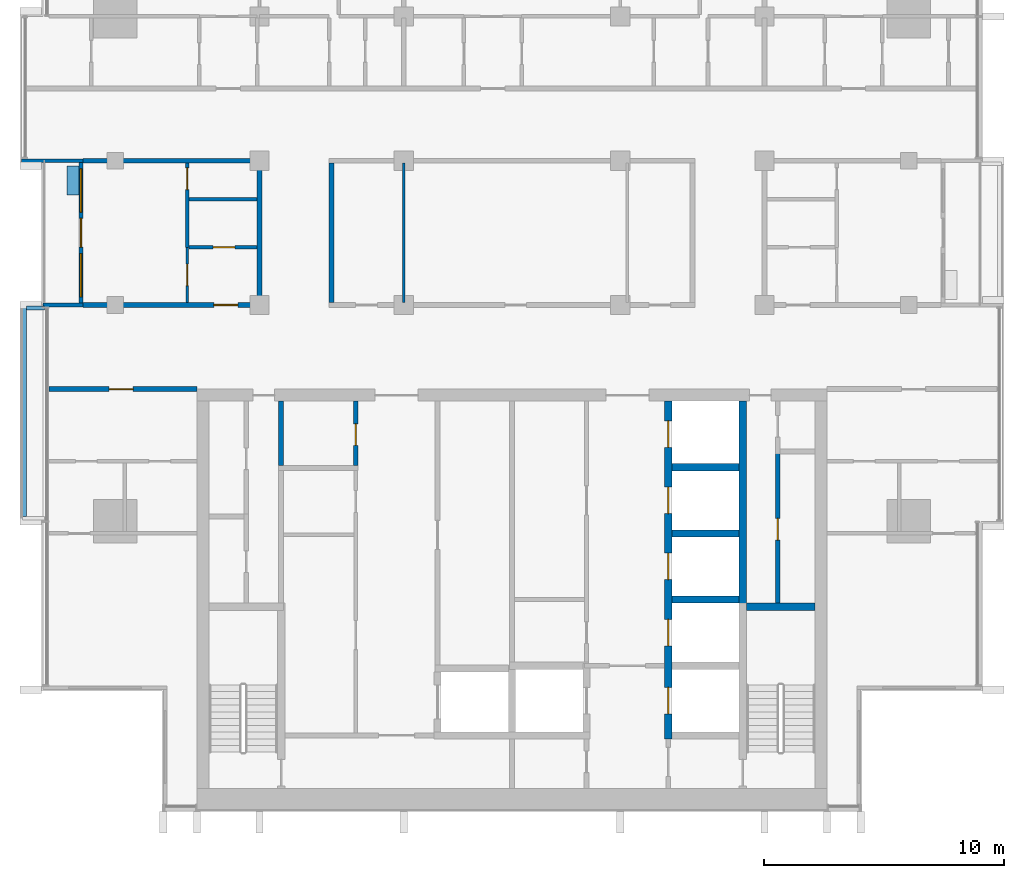
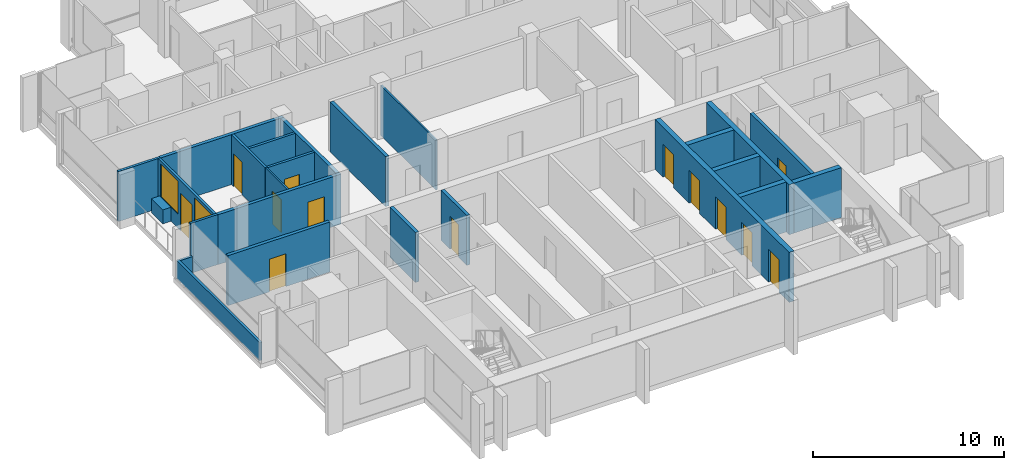
# One storey, part 8 of 16: 25 walls, 13 doors, 2 windows, 15 openings.
"""IFC4 building model written with IfcOpenShell, lengths in metres."""

from ifc_helpers import new_model, si_unit, direction, frame, frame_2d, origin, place, context, subcontext, project, spatial, rectangle, extrude, material, layer, layer_set, type_object, element, fill, save


model = new_model("IFC4")

# Units and contexts
model_context = context("Model", 3, precision=1e-05, world=origin(), true_north=direction((0.0, 1.0)))
body_context = subcontext(model_context, "Body", "Model", "MODEL_VIEW")
ifc_project = project(units=[si_unit("LENGTHUNIT", "METRE"), si_unit("AREAUNIT", "SQUARE_METRE"), si_unit("VOLUMEUNIT", "CUBIC_METRE"), si_unit("PLANEANGLEUNIT", "RADIAN"), si_unit("MASSUNIT", "GRAM", prefix="KILO")], contexts=[model_context])

# Site, building, storey
site_placement = place(None, origin())
site = spatial("IfcSite", under=ifc_project, at=site_placement, CompositionType="ELEMENT")
building_placement = place(site_placement, origin())
building = spatial("IfcBuilding", under=site, at=building_placement, Name="Finial Court Residences", CompositionType="ELEMENT")
storey_placement = place(building_placement, frame((0.0, 0.0, 295.10009765625)))
storey = spatial("IfcBuildingStorey", under=building, at=storey_placement, Name="L75", CompositionType="ELEMENT", Elevation=295.10009765625)

# Wall, opening, door
ifc_material_1 = material(Name="Gypsum board")
ifc_layer_1 = layer(ifc_material_1, 0.02490234375)
ifc_material_2 = material(Name="Acoustic mineral wool in double frame")
ifc_layer_2 = layer(ifc_material_2, 0.14990234375)
ifc_layer_3 = layer(ifc_material_1, 0.02490234375)
ifc_layer_set_1 = layer_set([ifc_layer_1, ifc_layer_2, ifc_layer_3], Name="Corridor wall 200, 1 hour")
wall_type_1 = type_object("IfcWallType", Name="Corridor wall 200, 1 hour", PredefinedType="PARTITIONING", material=ifc_layer_set_1)
wall_1_placement = place(storey_placement, frame((-19.262451171875, -8.0, 0.0), z_axis=(0.0, 0.0, 1.0), x_axis=(1.0, 0.0, 0.0)))
wall_1 = element("IfcWall", 1, at=wall_1_placement, inside=storey, type_object=wall_type_1, Name="Partition L75-004", PredefinedType="PARTITIONING", context=body_context, shape_type="SweptSolid", body=[
    extrude(rectangle(XDim=6.162353515625, YDim=0.199951171875, at=frame_2d((3.0810546875, 0.0))), origin(), (0.0, 0.0, 1.0), 3.199951171875),
])
opening_1_placement = place(wall_1_placement, frame((2.511962890625, 0.0, 0.0)))
opening_1 = element("IfcOpeningElement", 2, at=opening_1_placement, cuts=wall_1, Name="Opening L75-D007", PredefinedType="OPENING", context=body_context, shape_type="SweptSolid", body=[
    extrude(rectangle(XDim=1.0, YDim=2.10009765625, at=frame_2d((0.5, 1.050048828125))), frame((0.0, 0.10986328125, 0.0), z_axis=(0.0, -1.0, 0.0), x_axis=(1.0, 0.0, 0.0)), (0.0, 0.0, 1.0), 0.219970703125),
])
ifc_material_3 = material(Name="Timber door leaf in hollow metal frame", Category="wood")
door_type_1 = type_object("IfcDoorType", Name="Fire door set 1000 x 2100, 30 minutes", OperationType="SINGLE_SWING_LEFT", PredefinedType="DOOR", material=ifc_material_3)
door_1_placement = place(opening_1_placement, origin())
door_1 = element("IfcDoor", 3, at=door_1_placement, inside=storey, type_object=door_type_1, Name="Door L75-D007", OperationType="SINGLE_SWING_RIGHT", OverallHeight=2.10009765625, OverallWidth=1.0, PredefinedType="DOOR", context=body_context, shape_type="SweptSolid", body=[
    extrude(rectangle(XDim=1.0, YDim=2.10009765625, at=frame_2d((0.5, 1.050048828125))), frame((0.0, 0.02490234375, 0.0), z_axis=(0.0, -1.0, 0.0), x_axis=(1.0, 0.0, 0.0)), (0.0, 0.0, 1.0), 0.050048828125),
])
fill(opening_1, door_1)

wall_2_placement = place(storey_placement, frame((-17.85009765625, -4.5, 0.0), z_axis=(0.0, 0.0, 1.0), x_axis=(1.0, 0.0, 0.0)))
wall_2 = element("IfcWall", 4, at=wall_2_placement, inside=storey, type_object=wall_type_1, Name="Partition L75-006", PredefinedType="PARTITIONING", context=body_context, shape_type="SweptSolid", body=[
    extrude(rectangle(XDim=7.4501953125, YDim=0.199951171875, at=frame_2d((3.72509765625, 0.0))), origin(), (0.0, 0.0, 1.0), 3.199951171875),
])
opening_2_placement = place(wall_2_placement, frame((5.449951171875, 0.0, 0.0)))
opening_2 = element("IfcOpeningElement", 5, at=opening_2_placement, cuts=wall_2, Name="Opening L75-D009", PredefinedType="OPENING", context=body_context, shape_type="SweptSolid", body=[
    extrude(rectangle(XDim=1.0, YDim=2.10009765625, at=frame_2d((0.5, 1.050048828125))), frame((0.0, 0.10986328125, 0.0), z_axis=(0.0, -1.0, 0.0), x_axis=(1.0, 0.0, 0.0)), (0.0, 0.0, 1.0), 0.219970703125),
])
door_2_placement = place(opening_2_placement, origin())
door_2 = element("IfcDoor", 6, at=door_2_placement, inside=storey, type_object=door_type_1, Name="Door L75-D009", OperationType="SINGLE_SWING_LEFT", OverallHeight=2.10009765625, OverallWidth=1.0, PredefinedType="DOOR", context=body_context, shape_type="SweptSolid", body=[
    extrude(rectangle(XDim=1.0, YDim=2.10009765625, at=frame_2d((0.5, 1.050048828125))), frame((0.0, 0.02490234375, 0.0), z_axis=(0.0, -1.0, 0.0), x_axis=(1.0, 0.0, 0.0)), (0.0, 0.0, 1.0), 0.050048828125),
])
fill(opening_2, door_2)

# Walls
wall_3_placement = place(storey_placement, frame((-17.85009765625, 1.5, 0.0), z_axis=(0.0, 0.0, 1.0), x_axis=(1.0, 0.0, 0.0)))
element("IfcWall", 7, at=wall_3_placement, inside=storey, type_object=wall_type_1, Name="Partition L75-013", PredefinedType="PARTITIONING", context=body_context, shape_type="SweptSolid", body=[
    extrude(rectangle(XDim=7.4501953125, YDim=0.199951171875, at=frame_2d((3.72509765625, 0.0))), origin(), (0.0, 0.0, 1.0), 3.199951171875),
])
for number, where, z_axis, x_axis, name in (
    (8, (-10.5, -4.39990234375, 0.0), (0.0, 0.0, 1.0), (0.0, 1.0, 0.0), "Partition L75-036"),
    (9, (-7.5, -4.39990234375, 0.0), (0.0, 0.0, 1.0), (0.0, 1.0, 0.0), "Partition L75-039"),
):
    element("IfcWall", number, at=place(storey_placement, frame(where, z_axis=z_axis, x_axis=x_axis)), inside=storey, type_object=wall_type_1, Name=name, PredefinedType="PARTITIONING", context=body_context, shape_type="SweptSolid", body=[
        extrude(rectangle(XDim=5.7998046875, YDim=0.199951171875, at=frame_2d((2.89990234375, 0.0))), origin(), (0.0, 0.0, 1.0), 3.199951171875),
    ])

# Wall, opening, door
ifc_layer_4 = layer(ifc_material_1, 0.012451171875)
ifc_material_4 = material(Name="Mineral wool in light-gauge frame")
ifc_layer_5 = layer(ifc_material_4, 0.074951171875)
ifc_layer_6 = layer(ifc_material_1, 0.012451171875)
ifc_layer_set_2 = layer_set([ifc_layer_4, ifc_layer_5, ifc_layer_6], Name="Gypsum board partition 100")
wall_type_2 = type_object("IfcWallType", Name="Gypsum board partition 100", PredefinedType="PARTITIONING", material=ifc_layer_set_2)
wall_4_placement = place(storey_placement, frame((-13.5, -4.39990234375, 0.0), z_axis=(0.0, 0.0, 1.0), x_axis=(0.0, 1.0, 0.0)))
wall_4 = element("IfcWall", 10, at=wall_4_placement, inside=storey, type_object=wall_type_2, Name="Partition L75-032", PredefinedType="PARTITIONING", context=body_context, shape_type="SweptSolid", body=[
    extrude(rectangle(XDim=2.2998046875, YDim=0.10009765625, at=frame_2d((1.14990234375, 0.0))), origin(), (0.0, 0.0, 1.0), 3.199951171875),
])
opening_3_placement = place(wall_4_placement, frame((0.699951171875, 0.0, 0.0)))
opening_3 = element("IfcOpeningElement", 11, at=opening_3_placement, cuts=wall_4, Name="Opening L75-D027", PredefinedType="OPENING", context=body_context, shape_type="SweptSolid", body=[
    extrude(rectangle(XDim=0.89990234375, YDim=2.10009765625, at=frame_2d((0.449951171875, 1.050048828125))), frame((0.0, 0.06005859375, 0.0), z_axis=(0.0, -1.0, 0.0), x_axis=(1.0, 0.0, 0.0)), (0.0, 0.0, 1.0), 0.1201171875),
])
ifc_material_5 = material(Name="Timber door leaf in timber frame", Category="wood")
door_type_2 = type_object("IfcDoorType", Name="Door set 900 x 2100", OperationType="SINGLE_SWING_LEFT", PredefinedType="DOOR", material=ifc_material_5)
door_3_placement = place(opening_3_placement, origin())
door_3 = element("IfcDoor", 12, at=door_3_placement, inside=storey, type_object=door_type_2, Name="Door L75-D027", OperationType="SINGLE_SWING_RIGHT", OverallHeight=2.10009765625, OverallWidth=0.89990234375, PredefinedType="DOOR", context=body_context, shape_type="SweptSolid", body=[
    extrude(rectangle(XDim=0.89990234375, YDim=2.10009765625, at=frame_2d((0.449951171875, 1.050048828125))), frame((0.0, 0.02490234375, 0.0), z_axis=(0.0, -1.0, 0.0), x_axis=(1.0, 0.0, 0.0)), (0.0, 0.0, 1.0), 0.050048828125),
])
fill(opening_3, door_3)

# Wall
wall_5_placement = place(storey_placement, frame((-4.5, -4.39990234375, 0.0), z_axis=(0.0, 0.0, 1.0), x_axis=(0.0, 1.0, 0.0)))
element("IfcWall", 13, at=wall_5_placement, inside=storey, type_object=wall_type_2, Name="Partition L75-042", PredefinedType="PARTITIONING", context=body_context, shape_type="SweptSolid", body=[
    extrude(rectangle(XDim=5.7998046875, YDim=0.10009765625, at=frame_2d((2.89990234375, 0.0))), origin(), (0.0, 0.0, 1.0), 3.199951171875),
])

# Wall, opening, door
ifc_material_6 = material(Name="Moisture-resistant gypsum board")
ifc_layer_7 = layer(ifc_material_6, 0.012451171875)
ifc_layer_8 = layer(ifc_material_4, 0.125)
ifc_layer_9 = layer(ifc_material_6, 0.012451171875)
ifc_layer_set_3 = layer_set([ifc_layer_7, ifc_layer_8, ifc_layer_9], Name="Gypsum board wet-area partition 150")
wall_type_3 = type_object("IfcWallType", Name="Gypsum board wet-area partition 150", PredefinedType="PARTITIONING", material=ifc_layer_set_3)
wall_6_placement = place(storey_placement, frame((-13.425048828125, -2.10009765625, 0.0), z_axis=(0.0, 0.0, 1.0), x_axis=(1.0, 0.0, 0.0)))
wall_6 = element("IfcWall", 14, at=wall_6_placement, inside=storey, type_object=wall_type_3, Name="Partition L75-009", PredefinedType="PARTITIONING", context=body_context, shape_type="SweptSolid", body=[
    extrude(rectangle(XDim=2.824951171875, YDim=0.14990234375, at=frame_2d((1.41259765625, 0.0))), origin(), (0.0, 0.0, 1.0), 3.199951171875),
])
opening_4_placement = place(wall_6_placement, frame((1.0, 0.0, 0.0)))
opening_4 = element("IfcOpeningElement", 15, at=opening_4_placement, cuts=wall_6, Name="Opening L75-D014", PredefinedType="OPENING", context=body_context, shape_type="SweptSolid", body=[
    extrude(rectangle(XDim=0.89990234375, YDim=2.10009765625, at=frame_2d((0.449951171875, 1.050048828125))), frame((0.0, 0.0849609375, 0.0), z_axis=(0.0, -1.0, 0.0), x_axis=(1.0, 0.0, 0.0)), (0.0, 0.0, 1.0), 0.169921875),
])
door_4_placement = place(opening_4_placement, origin())
door_4 = element("IfcDoor", 16, at=door_4_placement, inside=storey, type_object=door_type_2, Name="Door L75-D014", OperationType="SINGLE_SWING_LEFT", OverallHeight=2.10009765625, OverallWidth=0.89990234375, PredefinedType="DOOR", context=body_context, shape_type="SweptSolid", body=[
    extrude(rectangle(XDim=0.89990234375, YDim=2.10009765625, at=frame_2d((0.449951171875, 1.050048828125))), frame((0.0, 0.02490234375, 0.0), z_axis=(0.0, -1.0, 0.0), x_axis=(1.0, 0.0, 0.0)), (0.0, 0.0, 1.0), 0.050048828125),
])
fill(opening_4, door_4)

# Wall
wall_7_placement = place(storey_placement, frame((-13.425048828125, -0.10009765625, 0.0), z_axis=(0.0, 0.0, 1.0), x_axis=(1.0, 0.0, 0.0)))
element("IfcWall", 17, at=wall_7_placement, inside=storey, type_object=wall_type_3, Name="Partition L75-011", PredefinedType="PARTITIONING", context=body_context, shape_type="SweptSolid", body=[
    extrude(rectangle(XDim=2.824951171875, YDim=0.14990234375, at=frame_2d((1.41259765625, 0.0))), origin(), (0.0, 0.0, 1.0), 3.199951171875),
])

# Wall, opening, door
wall_8_placement = place(storey_placement, frame((-13.5, -2.10009765625, 0.0), z_axis=(0.0, 0.0, 1.0), x_axis=(0.0, 1.0, 0.0)))
wall_8 = element("IfcWall", 18, at=wall_8_placement, inside=storey, type_object=wall_type_3, Name="Partition L75-033", PredefinedType="PARTITIONING", context=body_context, shape_type="SweptSolid", body=[
    extrude(rectangle(XDim=3.5, YDim=0.14990234375, at=frame_2d((1.75, 0.0))), origin(), (0.0, 0.0, 1.0), 3.199951171875),
])
opening_5_placement = place(wall_8_placement, frame((2.39990234375, 0.0, 0.0)))
opening_5 = element("IfcOpeningElement", 19, at=opening_5_placement, cuts=wall_8, Name="Opening L75-D028", PredefinedType="OPENING", context=body_context, shape_type="SweptSolid", body=[
    extrude(rectangle(XDim=0.89990234375, YDim=2.10009765625, at=frame_2d((0.449951171875, 1.050048828125))), frame((0.0, 0.0849609375, 0.0), z_axis=(0.0, -1.0, 0.0), x_axis=(1.0, 0.0, 0.0)), (0.0, 0.0, 1.0), 0.169921875),
])
door_5_placement = place(opening_5_placement, origin())
door_5 = element("IfcDoor", 20, at=door_5_placement, inside=storey, type_object=door_type_2, Name="Door L75-D028", OperationType="SINGLE_SWING_RIGHT", OverallHeight=2.10009765625, OverallWidth=0.89990234375, PredefinedType="DOOR", context=body_context, shape_type="SweptSolid", body=[
    extrude(rectangle(XDim=0.89990234375, YDim=2.10009765625, at=frame_2d((0.449951171875, 1.050048828125))), frame((0.0, 0.02490234375, 0.0), z_axis=(0.0, -1.0, 0.0), x_axis=(1.0, 0.0, 0.0)), (0.0, 0.0, 1.0), 0.050048828125),
])
fill(opening_5, door_5)

# Walls
ifc_material_7 = material(Name="Concrete C35/45", Category="concrete")
ifc_layer_10 = layer(ifc_material_7, 0.14990234375)
ifc_layer_set_4 = layer_set([ifc_layer_10], Name="Ledge parapet, Concrete C35/45 150")
wall_type_4 = type_object("IfcWallType", Name="Ledge parapet, Concrete C35/45 150", PredefinedType="PARAPET", material=ifc_layer_set_4)
wall_9_placement = place(storey_placement, frame((-20.27490234375, -13.300048828125, 0.0), z_axis=(0.0, 0.0, 1.0), x_axis=(0.0, 1.0, 0.0)))
element("IfcWall", 21, at=wall_9_placement, inside=storey, type_object=wall_type_4, Name="E-L75-LED2-P2", PredefinedType="PARAPET", context=body_context, shape_type="SweptSolid", body=[
    extrude(rectangle(XDim=8.75, YDim=0.14990234375, at=frame_2d((4.375, 0.0))), origin(), (0.0, 0.0, 1.0), 1.14990234375),
])
wall_10_placement = place(storey_placement, frame((-20.199951171875, -4.625, 0.0), z_axis=(0.0, 0.0, 1.0), x_axis=(1.0, 0.0, 0.0)))
element("IfcWall", 22, at=wall_10_placement, inside=storey, type_object=wall_type_4, Name="E-L75-LED2-P3", PredefinedType="PARAPET", context=body_context, shape_type="SweptSolid", body=[
    extrude(rectangle(XDim=0.75244140625, YDim=0.14990234375, at=frame_2d((0.376220703125, 0.0))), origin(), (0.0, 0.0, 1.0), 1.14990234375),
])
ifc_material_8 = material(Name="Concrete C50/60", Category="concrete")
ifc_layer_11 = layer(ifc_material_8, 0.300048828125)
ifc_layer_set_5 = layer_set([ifc_layer_11], Name="Lift shaft and stair wall 300 Concrete C50/60")
wall_type_5 = type_object("IfcWallType", Name="Lift shaft and stair wall 300 Concrete C50/60", PredefinedType="SHEAR", material=ifc_layer_set_5)
wall_11_placement = place(storey_placement, frame((9.75, -17.050048828125, 0.0), z_axis=(0.0, 0.0, 1.0), x_axis=(1.0, 0.0, 0.0)))
element("IfcWall", 23, at=wall_11_placement, inside=storey, type_object=wall_type_5, Name="Core wall L75-09", PredefinedType="SHEAR", context=body_context, shape_type="SweptSolid", body=[
    extrude(rectangle(XDim=2.85009765625, YDim=0.300048828125, at=frame_2d((1.425048828125, 0.0))), origin(), (0.0, 0.0, 1.0), 3.199951171875),
])
for number, where, z_axis, x_axis, name in (
    (24, (6.64990234375, -16.75, 0.0), (0.0, 0.0, 1.0), (1.0, 0.0, 0.0), "Core wall L75-11"),
    (25, (6.64990234375, -14.0, 0.0), (0.0, 0.0, 1.0), (1.0, 0.0, 0.0), "Core wall L75-13"),
    (26, (6.64990234375, -11.25, 0.0), (0.0, 0.0, 1.0), (1.0, 0.0, 0.0), "Core wall L75-16"),
):
    element("IfcWall", number, at=place(storey_placement, frame(where, z_axis=z_axis, x_axis=x_axis)), inside=storey, type_object=wall_type_5, Name=name, PredefinedType="SHEAR", context=body_context, shape_type="SweptSolid", body=[
        extrude(rectangle(XDim=2.800048828125, YDim=0.300048828125, at=frame_2d((1.39990234375, 0.0))), origin(), (0.0, 0.0, 1.0), 3.199951171875),
    ])

# Wall, openings, doors
wall_12_placement = place(storey_placement, frame((6.5, -22.550048828125, 0.0), z_axis=(0.0, 0.0, 1.0), x_axis=(0.0, 1.0, 0.0)))
wall_12 = element("IfcWall", 27, at=wall_12_placement, inside=storey, type_object=wall_type_5, Name="Core wall L75-34", PredefinedType="SHEAR", context=body_context, shape_type="SweptSolid", body=[
    extrude(rectangle(XDim=14.050048828125, YDim=0.300048828125, at=frame_2d((7.02490234375, 0.0))), origin(), (0.0, 0.0, 1.0), 3.199951171875),
])
opening_6_placement = place(wall_12_placement, frame((1.050048828125, 0.0, 0.0)))
opening_6 = element("IfcOpeningElement", 28, at=opening_6_placement, cuts=wall_12, Name="Opening L75-LD02", PredefinedType="OPENING", context=body_context, shape_type="SweptSolid", body=[
    extrude(rectangle(XDim=1.10009765625, YDim=2.10009765625, at=frame_2d((0.550048828125, 1.050048828125))), frame((0.0, 0.159912109375, 0.0), z_axis=(0.0, -1.0, 0.0), x_axis=(1.0, 0.0, 0.0)), (0.0, 0.0, 1.0), 0.320068359375),
])
opening_7_placement = place(wall_12_placement, frame((3.875, 0.0, 0.0)))
opening_7 = element("IfcOpeningElement", 29, at=opening_7_placement, cuts=wall_12, Name="Opening L75-LD03", PredefinedType="OPENING", context=body_context, shape_type="SweptSolid", body=[
    extrude(rectangle(XDim=1.10009765625, YDim=2.10009765625, at=frame_2d((0.550048828125, 1.050048828125))), frame((0.0, 0.159912109375, 0.0), z_axis=(0.0, -1.0, 0.0), x_axis=(1.0, 0.0, 0.0)), (0.0, 0.0, 1.0), 0.320068359375),
])
opening_8_placement = place(wall_12_placement, frame((6.625, 0.0, 0.0)))
opening_8 = element("IfcOpeningElement", 30, at=opening_8_placement, cuts=wall_12, Name="Opening L75-LD04", PredefinedType="OPENING", context=body_context, shape_type="SweptSolid", body=[
    extrude(rectangle(XDim=1.10009765625, YDim=2.10009765625, at=frame_2d((0.550048828125, 1.050048828125))), frame((0.0, 0.159912109375, 0.0), z_axis=(0.0, -1.0, 0.0), x_axis=(1.0, 0.0, 0.0)), (0.0, 0.0, 1.0), 0.320068359375),
])
opening_9_placement = place(wall_12_placement, frame((9.375, 0.0, 0.0)))
opening_9 = element("IfcOpeningElement", 31, at=opening_9_placement, cuts=wall_12, Name="Opening L75-LD05", PredefinedType="OPENING", context=body_context, shape_type="SweptSolid", body=[
    extrude(rectangle(XDim=1.10009765625, YDim=2.10009765625, at=frame_2d((0.550048828125, 1.050048828125))), frame((0.0, 0.159912109375, 0.0), z_axis=(0.0, -1.0, 0.0), x_axis=(1.0, 0.0, 0.0)), (0.0, 0.0, 1.0), 0.320068359375),
])
opening_10_placement = place(wall_12_placement, frame((12.125, 0.0, 0.0)))
opening_10 = element("IfcOpeningElement", 32, at=opening_10_placement, cuts=wall_12, Name="Opening L75-LD06", PredefinedType="OPENING", context=body_context, shape_type="SweptSolid", body=[
    extrude(rectangle(XDim=1.10009765625, YDim=2.10009765625, at=frame_2d((0.550048828125, 1.050048828125))), frame((0.0, 0.159912109375, 0.0), z_axis=(0.0, -1.0, 0.0), x_axis=(1.0, 0.0, 0.0)), (0.0, 0.0, 1.0), 0.320068359375),
])
ifc_material_9 = material(Name="Stainless steel lift door", Category="steel")
door_type_3 = type_object("IfcDoorType", Name="Lift landing door 1100 x 2100 EI 90", OperationType="DOUBLE_DOOR_SLIDING", PredefinedType="DOOR", material=ifc_material_9)
door_6_placement = place(opening_6_placement, origin())
door_6 = element("IfcDoor", 33, at=door_6_placement, inside=storey, type_object=door_type_3, Name="Lift landing door FF2 L75", OperationType="DOUBLE_DOOR_SLIDING", OverallHeight=2.10009765625, OverallWidth=1.10009765625, PredefinedType="DOOR", context=body_context, shape_type="SweptSolid", body=[
    extrude(rectangle(XDim=1.10009765625, YDim=2.10009765625, at=frame_2d((0.550048828125, 1.050048828125))), frame((0.0, 0.02490234375, 0.0), z_axis=(0.0, -1.0, 0.0), x_axis=(1.0, 0.0, 0.0)), (0.0, 0.0, 1.0), 0.050048828125),
])
fill(opening_6, door_6)
door_7_placement = place(opening_7_placement, origin())
door_7 = element("IfcDoor", 34, at=door_7_placement, inside=storey, type_object=door_type_3, Name="Lift landing door HR5 L75", OperationType="DOUBLE_DOOR_SLIDING", OverallHeight=2.10009765625, OverallWidth=1.10009765625, PredefinedType="DOOR", context=body_context, shape_type="SweptSolid", body=[
    extrude(rectangle(XDim=1.10009765625, YDim=2.10009765625, at=frame_2d((0.550048828125, 1.050048828125))), frame((0.0, 0.02490234375, 0.0), z_axis=(0.0, -1.0, 0.0), x_axis=(1.0, 0.0, 0.0)), (0.0, 0.0, 1.0), 0.050048828125),
])
fill(opening_7, door_7)
door_8_placement = place(opening_8_placement, origin())
door_8 = element("IfcDoor", 35, at=door_8_placement, inside=storey, type_object=door_type_3, Name="Lift landing door HR6 L75", OperationType="DOUBLE_DOOR_SLIDING", OverallHeight=2.10009765625, OverallWidth=1.10009765625, PredefinedType="DOOR", context=body_context, shape_type="SweptSolid", body=[
    extrude(rectangle(XDim=1.10009765625, YDim=2.10009765625, at=frame_2d((0.550048828125, 1.050048828125))), frame((0.0, 0.02490234375, 0.0), z_axis=(0.0, -1.0, 0.0), x_axis=(1.0, 0.0, 0.0)), (0.0, 0.0, 1.0), 0.050048828125),
])
fill(opening_8, door_8)
door_9_placement = place(opening_9_placement, origin())
door_9 = element("IfcDoor", 36, at=door_9_placement, inside=storey, type_object=door_type_3, Name="Lift landing door HR7 L75", OperationType="DOUBLE_DOOR_SLIDING", OverallHeight=2.10009765625, OverallWidth=1.10009765625, PredefinedType="DOOR", context=body_context, shape_type="SweptSolid", body=[
    extrude(rectangle(XDim=1.10009765625, YDim=2.10009765625, at=frame_2d((0.550048828125, 1.050048828125))), frame((0.0, 0.02490234375, 0.0), z_axis=(0.0, -1.0, 0.0), x_axis=(1.0, 0.0, 0.0)), (0.0, 0.0, 1.0), 0.050048828125),
])
fill(opening_9, door_9)
door_10_placement = place(opening_10_placement, origin())
door_10 = element("IfcDoor", 37, at=door_10_placement, inside=storey, type_object=door_type_3, Name="Lift landing door HR8 L75", OperationType="DOUBLE_DOOR_SLIDING", OverallHeight=2.10009765625, OverallWidth=1.10009765625, PredefinedType="DOOR", context=body_context, shape_type="SweptSolid", body=[
    extrude(rectangle(XDim=1.10009765625, YDim=2.10009765625, at=frame_2d((0.550048828125, 1.050048828125))), frame((0.0, 0.02490234375, 0.0), z_axis=(0.0, -1.0, 0.0), x_axis=(1.0, 0.0, 0.0)), (0.0, 0.0, 1.0), 0.050048828125),
])
fill(opening_10, door_10)

# Walls
wall_13_placement = place(storey_placement, frame((9.60009765625, -17.199951171875, 0.0), z_axis=(0.0, 0.0, 1.0), x_axis=(0.0, 1.0, 0.0)))
element("IfcWall", 38, at=wall_13_placement, inside=storey, type_object=wall_type_5, Name="Core wall L75-36", PredefinedType="SHEAR", context=body_context, shape_type="SweptSolid", body=[
    extrude(rectangle(XDim=8.699951171875, YDim=0.300048828125, at=frame_2d((4.35009765625, 0.0))), origin(), (0.0, 0.0, 1.0), 3.199951171875),
])
ifc_material_10 = material(Name="Natural limestone", Category="masonry")
ifc_layer_12 = layer(ifc_material_10, 0.14990234375)
ifc_layer_set_6 = layer_set([ifc_layer_12], Name="Limestone clad wall 150")
wall_type_6 = type_object("IfcWallType", Name="Limestone clad wall 150", PredefinedType="SOLIDWALL", material=ifc_layer_set_6)
wall_14_placement = place(storey_placement, frame((-17.85009765625, -4.5, 0.0), z_axis=(0.0, 0.0, 1.0), x_axis=(-1.0, 0.0, 0.0)))
element("IfcWall", 39, at=wall_14_placement, inside=storey, type_object=wall_type_6, Name="E-L75-BALW3-P1", PredefinedType="SOLIDWALL", context=body_context, shape_type="SweptSolid", body=[
    extrude(rectangle(XDim=1.64990234375, YDim=0.14990234375, at=frame_2d((0.824951171875, 0.0))), origin(), (0.0, 0.0, 1.0), 3.199951171875),
])
wall_15_placement = place(storey_placement, frame((-17.85009765625, 1.5, 0.0), z_axis=(0.0, 0.0, 1.0), x_axis=(-1.0, 0.0, 0.0)))
element("IfcWall", 40, at=wall_15_placement, inside=storey, type_object=wall_type_6, Name="E-L75-BALW3-P2", PredefinedType="SOLIDWALL", context=body_context, shape_type="SweptSolid", body=[
    extrude(rectangle(XDim=2.5498046875, YDim=0.14990234375, at=frame_2d((1.27490234375, 0.0))), origin(), (0.0, 0.0, 1.0), 3.199951171875),
])

# Wall, openings, door, windows
wall_16_placement = place(storey_placement, frame((-17.925048828125, -4.425048828125, 0.0), z_axis=(0.0, 0.0, 1.0), x_axis=(0.0, 1.0, 0.0)))
wall_16 = element("IfcWall", 41, at=wall_16_placement, inside=storey, type_object=wall_type_6, Name="E-L75-L75-BALW3-W", PredefinedType="SOLIDWALL", context=body_context, shape_type="SweptSolid", body=[
    extrude(rectangle(XDim=5.85009765625, YDim=0.14990234375, at=frame_2d((2.925048828125, 0.0))), origin(), (0.0, 0.0, 1.0), 3.199951171875),
])
opening_11_placement = place(wall_16_placement, frame((2.324951171875, 0.0, 0.0)))
opening_11 = element("IfcOpeningElement", 42, at=opening_11_placement, cuts=wall_16, Name="Opening DE75-02", PredefinedType="OPENING", context=body_context, shape_type="SweptSolid", body=[
    extrude(rectangle(XDim=1.199951171875, YDim=2.39990234375, at=frame_2d((0.60009765625, 1.199951171875))), frame((0.0, 0.0849609375, 0.0), z_axis=(0.0, -1.0, 0.0), x_axis=(1.0, 0.0, 0.0)), (0.0, 0.0, 1.0), 0.169921875),
])
opening_12_placement = place(wall_16_placement, frame((0.262451171875, 0.0, 0.89990234375)))
opening_12 = element("IfcOpeningElement", 43, at=opening_12_placement, cuts=wall_16, Name="Opening WE75-11", PredefinedType="OPENING", context=body_context, shape_type="SweptSolid", body=[
    extrude(rectangle(XDim=1.800048828125, YDim=2.10009765625, at=frame_2d((0.89990234375, 1.050048828125))), frame((0.0, 0.0849609375, 0.0), z_axis=(0.0, -1.0, 0.0), x_axis=(1.0, 0.0, 0.0)), (0.0, 0.0, 1.0), 0.169921875),
])
opening_13_placement = place(wall_16_placement, frame((3.78759765625, 0.0, 0.89990234375)))
opening_13 = element("IfcOpeningElement", 44, at=opening_13_placement, cuts=wall_16, Name="Opening WE75-12", PredefinedType="OPENING", context=body_context, shape_type="SweptSolid", body=[
    extrude(rectangle(XDim=1.800048828125, YDim=2.10009765625, at=frame_2d((0.89990234375, 1.050048828125))), frame((0.0, 0.0849609375, 0.0), z_axis=(0.0, -1.0, 0.0), x_axis=(1.0, 0.0, 0.0)), (0.0, 0.0, 1.0), 0.169921875),
])
ifc_material_11 = material(Name="Bronze anodised aluminium", Category="aluminium")
door_type_4 = type_object("IfcDoorType", Name="Balcony door 1200 x 2400", OperationType="SINGLE_SWING_LEFT", PredefinedType="DOOR", material=ifc_material_11)
door_11_placement = place(opening_11_placement, origin())
door_11 = element("IfcDoor", 45, at=door_11_placement, inside=storey, type_object=door_type_4, Name="E-L75-L75-BALW3-W-D", OperationType="SINGLE_SWING_LEFT", OverallHeight=2.39990234375, OverallWidth=1.199951171875, PredefinedType="DOOR", context=body_context, shape_type="SweptSolid", body=[
    extrude(rectangle(XDim=1.199951171875, YDim=2.39990234375, at=frame_2d((0.60009765625, 1.199951171875))), frame((0.0, 0.02490234375, 0.0), z_axis=(0.0, -1.0, 0.0), x_axis=(1.0, 0.0, 0.0)), (0.0, 0.0, 1.0), 0.050048828125),
])
fill(opening_11, door_11)
ifc_material_12 = material(Name="Clear low-e glass", Category="glass")
window_type = type_object("IfcWindowType", Name="Balcony window 1800 x 2100", PartitioningType="SINGLE_PANEL", PredefinedType="WINDOW", material=ifc_material_12)
window_1_placement = place(opening_12_placement, origin())
window_1 = element("IfcWindow", 46, at=window_1_placement, inside=storey, type_object=window_type, Name="E-L75-L75-BALW3-W-W1", OverallHeight=2.10009765625, OverallWidth=1.800048828125, PartitioningType="SINGLE_PANEL", PredefinedType="WINDOW", context=body_context, shape_type="SweptSolid", body=[
    extrude(rectangle(XDim=1.800048828125, YDim=2.10009765625, at=frame_2d((0.89990234375, 1.050048828125))), frame((0.0, 0.030029296875, 0.0), z_axis=(0.0, -1.0, 0.0), x_axis=(1.0, 0.0, 0.0)), (0.0, 0.0, 1.0), 0.06005859375),
])
fill(opening_12, window_1)
window_2_placement = place(opening_13_placement, origin())
window_2 = element("IfcWindow", 47, at=window_2_placement, inside=storey, type_object=window_type, Name="E-L75-L75-BALW3-W-W2", OverallHeight=2.10009765625, OverallWidth=1.800048828125, PartitioningType="SINGLE_PANEL", PredefinedType="WINDOW", context=body_context, shape_type="SweptSolid", body=[
    extrude(rectangle(XDim=1.800048828125, YDim=2.10009765625, at=frame_2d((0.89990234375, 1.050048828125))), frame((0.0, 0.030029296875, 0.0), z_axis=(0.0, -1.0, 0.0), x_axis=(1.0, 0.0, 0.0)), (0.0, 0.0, 1.0), 0.06005859375),
])
fill(opening_13, window_2)

# Walls
ifc_material_13 = material(Name="Concrete C40/50", Category="concrete")
ifc_layer_13 = layer(ifc_material_13, 0.10009765625)
ifc_material_14 = material(Name="Planting soil", Category="soil")
ifc_layer_14 = layer(ifc_material_14, 0.300048828125)
ifc_layer_15 = layer(ifc_material_13, 0.10009765625)
ifc_layer_set_7 = layer_set([ifc_layer_13, ifc_layer_14, ifc_layer_15], Name="Planter wall, balcony")
wall_type_7 = type_object("IfcWallType", Name="Planter wall, balcony", PredefinedType="USERDEFINED", material=ifc_layer_set_7)
wall_17_placement = place(storey_placement, frame((-18.25, 0.074951171875, 0.0), z_axis=(0.0, 0.0, 1.0), x_axis=(0.0, 1.0, 0.0)))
element("IfcWall", 48, at=wall_17_placement, inside=storey, type_object=wall_type_7, Name="E-L75-BALW3-PL", ObjectType="PLANTER", PredefinedType="USERDEFINED", context=body_context, shape_type="SweptSolid", body=[
    extrude(rectangle(XDim=1.199951171875, YDim=0.5, at=frame_2d((0.60009765625, 0.0))), origin(), (0.0, 0.0, 1.0), 0.89990234375),
])
ifc_material_15 = material(Name="Fire-rated gypsum board partition")
ifc_layer_16 = layer(ifc_material_15, 0.199951171875)
ifc_layer_set_8 = layer_set([ifc_layer_16], Name="Riser room wall 200 EI 120")
wall_type_8 = type_object("IfcWallType", Name="Riser room wall 200 EI 120", PredefinedType="PARTITIONING", material=ifc_layer_set_8)
wall_18_placement = place(storey_placement, frame((-9.60009765625, -11.179931640625, 0.0), z_axis=(0.0, 0.0, 1.0), x_axis=(0.0, 1.0, 0.0)))
element("IfcWall", 49, at=wall_18_placement, inside=storey, type_object=wall_type_8, Name="Core partition L75-22", PredefinedType="PARTITIONING", context=body_context, shape_type="SweptSolid", body=[
    extrude(rectangle(XDim=2.679931640625, YDim=0.199951171875, at=frame_2d((1.33984375, 0.0))), origin(), (0.0, 0.0, 1.0), 3.199951171875),
])

# Wall, opening, door
wall_19_placement = place(storey_placement, frame((-6.5, -11.179931640625, 0.0), z_axis=(0.0, 0.0, 1.0), x_axis=(0.0, 1.0, 0.0)))
wall_19 = element("IfcWall", 50, at=wall_19_placement, inside=storey, type_object=wall_type_8, Name="Core partition L75-24", PredefinedType="PARTITIONING", context=body_context, shape_type="SweptSolid", body=[
    extrude(rectangle(XDim=2.679931640625, YDim=0.199951171875, at=frame_2d((1.33984375, 0.0))), origin(), (0.0, 0.0, 1.0), 3.199951171875),
])
opening_14_placement = place(wall_19_placement, frame((0.840087890625, 0.0, 0.0)))
opening_14 = element("IfcOpeningElement", 51, at=opening_14_placement, cuts=wall_19, Name="Opening L75-C09", PredefinedType="OPENING", context=body_context, shape_type="SweptSolid", body=[
    extrude(rectangle(XDim=0.89990234375, YDim=2.10009765625, at=frame_2d((0.449951171875, 1.050048828125))), frame((0.0, 0.10986328125, 0.0), z_axis=(0.0, -1.0, 0.0), x_axis=(1.0, 0.0, 0.0)), (0.0, 0.0, 1.0), 0.219970703125),
])
ifc_material_16 = material(Name="Steel fire door", Category="steel")
door_type_5 = type_object("IfcDoorType", Name="Riser room door 900 x 2100 EI 90", OperationType="NOTDEFINED", PredefinedType="DOOR", material=ifc_material_16)
door_12_placement = place(opening_14_placement, origin())
door_12 = element("IfcDoor", 52, at=door_12_placement, inside=storey, type_object=door_type_5, Name="Riser room door L75-C09", OperationType="SINGLE_SWING_LEFT", OverallHeight=2.10009765625, OverallWidth=0.89990234375, PredefinedType="DOOR", context=body_context, shape_type="SweptSolid", body=[
    extrude(rectangle(XDim=0.89990234375, YDim=2.10009765625, at=frame_2d((0.449951171875, 1.050048828125))), frame((0.0, 0.02490234375, 0.0), z_axis=(0.0, -1.0, 0.0), x_axis=(1.0, 0.0, 0.0)), (0.0, 0.0, 1.0), 0.050048828125),
])
fill(opening_14, door_12)

ifc_layer_17 = layer(ifc_material_15, 0.199951171875)
ifc_layer_set_9 = layer_set([ifc_layer_17], Name="Stair passage wall 200 EI 180")
wall_type_9 = type_object("IfcWallType", Name="Stair passage wall 200 EI 180", PredefinedType="PARTITIONING", material=ifc_layer_set_9)
wall_20_placement = place(storey_placement, frame((11.050048828125, -10.5, 0.0), z_axis=(0.0, 0.0, 1.0), x_axis=(0.0, -1.0, 0.0)))
wall_20 = element("IfcWall", 53, at=wall_20_placement, inside=storey, type_object=wall_type_9, Name="Core partition L75-37", PredefinedType="PARTITIONING", context=body_context, shape_type="SweptSolid", body=[
    extrude(rectangle(XDim=6.39990234375, YDim=0.199951171875, at=frame_2d((3.199951171875, 0.0))), origin(), (0.0, 0.0, 1.0), 3.199951171875),
])
opening_15_placement = place(wall_20_placement, frame((2.875, 0.0, 0.0)))
opening_15 = element("IfcOpeningElement", 54, at=opening_15_placement, cuts=wall_20, Name="Opening L75-C14", PredefinedType="OPENING", context=body_context, shape_type="SweptSolid", body=[
    extrude(rectangle(XDim=0.89990234375, YDim=2.10009765625, at=frame_2d((0.449951171875, 1.050048828125))), frame((0.0, 0.10986328125, 0.0), z_axis=(0.0, -1.0, 0.0), x_axis=(1.0, 0.0, 0.0)), (0.0, 0.0, 1.0), 0.219970703125),
])
door_type_6 = type_object("IfcDoorType", Name="Core room door 900 x 2100 EI 60", OperationType="NOTDEFINED", PredefinedType="DOOR", material=ifc_material_16)
door_13_placement = place(opening_15_placement, origin())
door_13 = element("IfcDoor", 55, at=door_13_placement, inside=storey, type_object=door_type_6, Name="Core room door L75-C14", OperationType="SINGLE_SWING_LEFT", OverallHeight=2.10009765625, OverallWidth=0.89990234375, PredefinedType="DOOR", context=body_context, shape_type="SweptSolid", body=[
    extrude(rectangle(XDim=0.89990234375, YDim=2.10009765625, at=frame_2d((0.449951171875, 1.050048828125))), frame((0.0, 0.02490234375, 0.0), z_axis=(0.0, -1.0, 0.0), x_axis=(1.0, 0.0, 0.0)), (0.0, 0.0, 1.0), 0.050048828125),
])
fill(opening_15, door_13)

save(model, "model.ifc")
